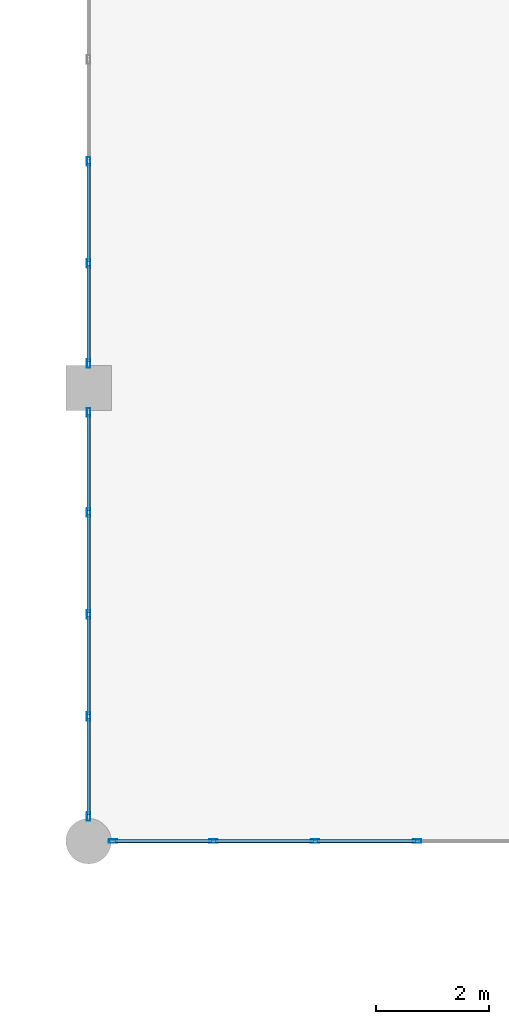
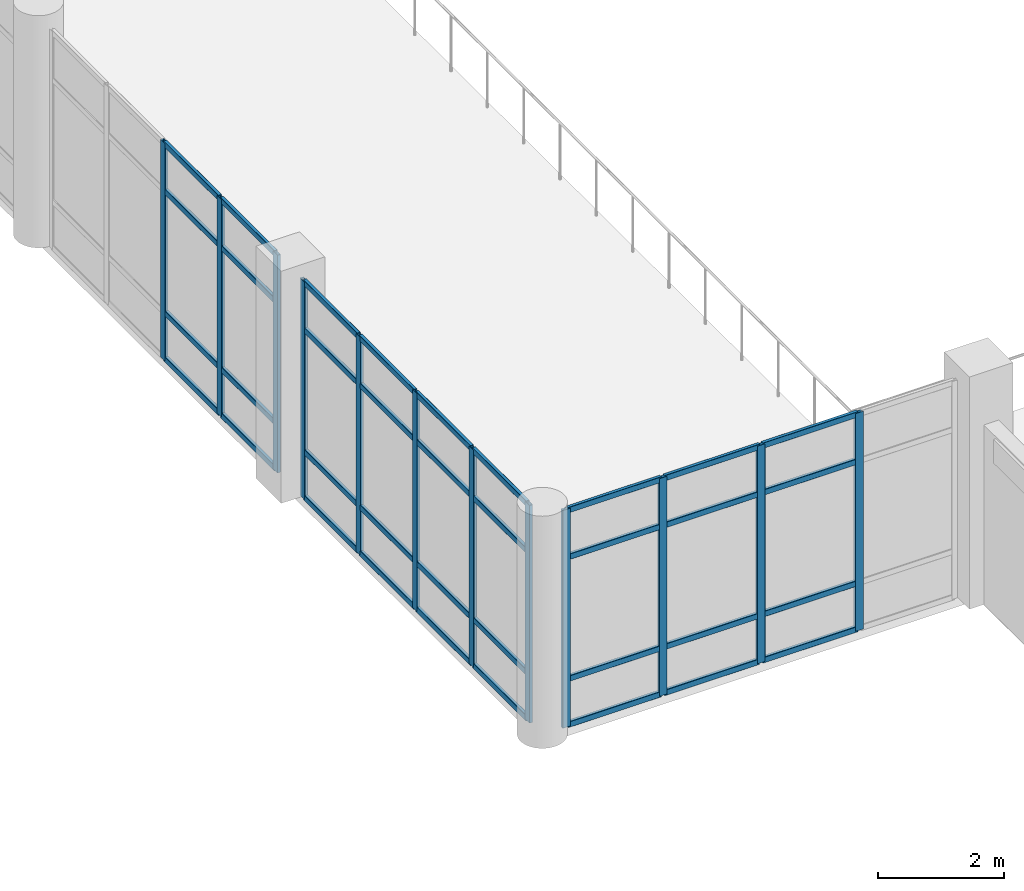
# One storey, part 10 of 42: 48 members, 3 elements without a shape of their own.
"""IFC4 building model written with IfcOpenShell, lengths in metres."""

from ifc_helpers import new_model, si_unit, direction, frame, origin, origin_2d, place, context, subcontext, project, spatial, hollow_rectangle, extrude, material, material_profile, profile_set, type_object, element, aggregate, save


model = new_model("IFC4")

# Units and contexts
model_context = context("Model", 3, precision=1e-05, world=origin(), true_north=direction((0.0, 1.0)))
body_context = subcontext(model_context, "Body", "Model", "MODEL_VIEW")
ifc_project = project(units=[si_unit("LENGTHUNIT", "METRE"), si_unit("AREAUNIT", "SQUARE_METRE"), si_unit("VOLUMEUNIT", "CUBIC_METRE"), si_unit("PLANEANGLEUNIT", "RADIAN"), si_unit("MASSUNIT", "GRAM", prefix="KILO")], contexts=[model_context])

# Site, building, storey
site_placement = place(None, origin())
site = spatial("IfcSite", under=ifc_project, at=site_placement, CompositionType="ELEMENT")
building_placement = place(site_placement, origin())
building = spatial("IfcBuilding", under=site, at=building_placement, Name="Solmirada Galleria", CompositionType="ELEMENT")
storey_placement = place(building_placement, frame((0.0, 0.0, 28.39990234375)))
storey = spatial("IfcBuildingStorey", under=building, at=storey_placement, Name="L06", CompositionType="ELEMENT", Elevation=28.39990234375)

# Curtain wall, members
ifc_material_1 = material(Name="Impact-resistant low-E double glazing", Category="glass")
curtain_wall_type = type_object("IfcCurtainWallType", Name="CW-FZ3-L06-B4-L072", PredefinedType="NOTDEFINED", material=ifc_material_1)
curtain_wall_1_placement = place(storey_placement, origin())
curtain_wall_1 = element("IfcCurtainWall", 1, at=curtain_wall_1_placement, inside=storey, type_object=curtain_wall_type, Name="Terrace and arcade storefront CW-L06-185", PredefinedType="NOTDEFINED")
ifc_material_2 = material(Name="Anodised aluminium framing", Category="aluminium")
ifc_material_profile_1 = material_profile(ifc_material_2, hollow_rectangle(XDim=0.06005859375, YDim=0.14990234375, WallThickness=0.00341796875, InnerFilletRadius=0.00341796875, OuterFilletRadius=0.007080078125, at=origin_2d()), Name="ALU-MULL-150X60")
ifc_profile_set_1 = profile_set([ifc_material_profile_1], Name="Anodised aluminium framing")
member_type_1 = type_object("IfcMemberType", Name="CW-MULL-150", PredefinedType="MULLION", material=ifc_profile_set_1)
member_1_placement = place(storey_placement, frame((85.799072265625, 48.0, 0.0), z_axis=(0.0, 0.0, 1.0), x_axis=(0.0, -1.0, 0.0)))
member_1 = element("IfcMember", 2, at=member_1_placement, type_object=member_type_1, Name="CW38 mullion 2", PredefinedType="MULLION", context=body_context, shape_type="SweptSolid", body=[
    extrude(hollow_rectangle(XDim=0.06005859375, YDim=0.14990234375, WallThickness=0.00341796875, InnerFilletRadius=0.00341796875, OuterFilletRadius=0.007080078125, at=origin_2d()), origin(), (0.0, 0.0, 1.0), 4.22021484375),
])
member_2_placement = place(storey_placement, frame((84.0, 48.0, 0.0), z_axis=(0.0, 0.0, 1.0), x_axis=(0.0, -1.0, 0.0)))
member_2 = element("IfcMember", 3, at=member_2_placement, type_object=member_type_1, Name="CW38 mullion 3", PredefinedType="MULLION", context=body_context, shape_type="SweptSolid", body=[
    extrude(hollow_rectangle(XDim=0.06005859375, YDim=0.14990234375, WallThickness=0.00341796875, InnerFilletRadius=0.00341796875, OuterFilletRadius=0.007080078125, at=origin_2d()), origin(), (0.0, 0.0, 1.0), 4.22021484375),
])
member_3_placement = place(storey_placement, frame((82.200927734375, 48.0, 0.0), z_axis=(0.0, 0.0, 1.0), x_axis=(0.0, -1.0, 0.0)))
member_3 = element("IfcMember", 4, at=member_3_placement, type_object=member_type_1, Name="CW38 mullion 4", PredefinedType="MULLION", context=body_context, shape_type="SweptSolid", body=[
    extrude(hollow_rectangle(XDim=0.06005859375, YDim=0.14990234375, WallThickness=0.00341796875, InnerFilletRadius=0.00341796875, OuterFilletRadius=0.007080078125, at=origin_2d()), origin(), (0.0, 0.0, 1.0), 4.22021484375),
])
member_4_placement = place(storey_placement, frame((80.431884765625, 48.0, 0.0), z_axis=(0.0, 0.0, 1.0), x_axis=(0.0, -1.0, 0.0)))
member_4 = element("IfcMember", 5, at=member_4_placement, type_object=member_type_1, Name="CW38 mullion 5", PredefinedType="MULLION", context=body_context, shape_type="SweptSolid", body=[
    extrude(hollow_rectangle(XDim=0.06005859375, YDim=0.14990234375, WallThickness=0.00341796875, InnerFilletRadius=0.00341796875, OuterFilletRadius=0.007080078125, at=origin_2d()), origin(), (0.0, 0.0, 1.0), 4.22021484375),
])

curtain_wall_2_placement = place(storey_placement, origin())
curtain_wall_2 = element("IfcCurtainWall", 6, at=curtain_wall_2_placement, inside=storey, type_object=curtain_wall_type, Name="Terrace and arcade storefront CW-L06-186", PredefinedType="NOTDEFINED")
member_5_placement = place(storey_placement, frame((80.0, 48.431884765625, 0.0), z_axis=(0.0, 0.0, 1.0), x_axis=(-1.0, 0.0, 0.0)))
member_5 = element("IfcMember", 7, at=member_5_placement, type_object=member_type_1, Name="CW38 mullion 1", PredefinedType="MULLION", context=body_context, shape_type="SweptSolid", body=[
    extrude(hollow_rectangle(XDim=0.06005859375, YDim=0.14990234375, WallThickness=0.00341796875, InnerFilletRadius=0.00341796875, OuterFilletRadius=0.007080078125, at=origin_2d()), origin(), (0.0, 0.0, 1.0), 4.22021484375),
])
member_6_placement = place(storey_placement, frame((80.0, 50.200927734375, 0.0), z_axis=(0.0, 0.0, 1.0), x_axis=(-1.0, 0.0, 0.0)))
member_6 = element("IfcMember", 8, at=member_6_placement, type_object=member_type_1, Name="CW38 mullion 2", PredefinedType="MULLION", context=body_context, shape_type="SweptSolid", body=[
    extrude(hollow_rectangle(XDim=0.06005859375, YDim=0.14990234375, WallThickness=0.00341796875, InnerFilletRadius=0.00341796875, OuterFilletRadius=0.007080078125, at=origin_2d()), origin(), (0.0, 0.0, 1.0), 4.22021484375),
])
member_7_placement = place(storey_placement, frame((80.0, 52.0, 0.0), z_axis=(0.0, 0.0, 1.0), x_axis=(-1.0, 0.0, 0.0)))
member_7 = element("IfcMember", 9, at=member_7_placement, type_object=member_type_1, Name="CW38 mullion 3", PredefinedType="MULLION", context=body_context, shape_type="SweptSolid", body=[
    extrude(hollow_rectangle(XDim=0.06005859375, YDim=0.14990234375, WallThickness=0.00341796875, InnerFilletRadius=0.00341796875, OuterFilletRadius=0.007080078125, at=origin_2d()), origin(), (0.0, 0.0, 1.0), 4.22021484375),
])
member_8_placement = place(storey_placement, frame((80.0, 53.799072265625, 0.0), z_axis=(0.0, 0.0, 1.0), x_axis=(-1.0, 0.0, 0.0)))
member_8 = element("IfcMember", 10, at=member_8_placement, type_object=member_type_1, Name="CW38 mullion 4", PredefinedType="MULLION", context=body_context, shape_type="SweptSolid", body=[
    extrude(hollow_rectangle(XDim=0.06005859375, YDim=0.14990234375, WallThickness=0.00341796875, InnerFilletRadius=0.00341796875, OuterFilletRadius=0.007080078125, at=origin_2d()), origin(), (0.0, 0.0, 1.0), 4.22021484375),
])
member_9_placement = place(storey_placement, frame((80.0, 55.568115234375, 0.0), z_axis=(0.0, 0.0, 1.0), x_axis=(-1.0, 0.0, 0.0)))
member_9 = element("IfcMember", 11, at=member_9_placement, type_object=member_type_1, Name="CW38 mullion 5", PredefinedType="MULLION", context=body_context, shape_type="SweptSolid", body=[
    extrude(hollow_rectangle(XDim=0.06005859375, YDim=0.14990234375, WallThickness=0.00341796875, InnerFilletRadius=0.00341796875, OuterFilletRadius=0.007080078125, at=origin_2d()), origin(), (0.0, 0.0, 1.0), 4.22021484375),
])

curtain_wall_3_placement = place(storey_placement, origin())
curtain_wall_3 = element("IfcCurtainWall", 12, at=curtain_wall_3_placement, inside=storey, type_object=curtain_wall_type, Name="Terrace and arcade storefront CW-L06-187", PredefinedType="NOTDEFINED")
member_10_placement = place(storey_placement, frame((80.0, 56.431884765625, 0.0), z_axis=(0.0, 0.0, 1.0), x_axis=(-1.0, 0.0, 0.0)))
member_10 = element("IfcMember", 13, at=member_10_placement, type_object=member_type_1, Name="CW38 mullion 1", PredefinedType="MULLION", context=body_context, shape_type="SweptSolid", body=[
    extrude(hollow_rectangle(XDim=0.06005859375, YDim=0.14990234375, WallThickness=0.00341796875, InnerFilletRadius=0.00341796875, OuterFilletRadius=0.007080078125, at=origin_2d()), origin(), (0.0, 0.0, 1.0), 4.22021484375),
])
member_11_placement = place(storey_placement, frame((80.0, 58.200927734375, 0.0), z_axis=(0.0, 0.0, 1.0), x_axis=(-1.0, 0.0, 0.0)))
member_11 = element("IfcMember", 14, at=member_11_placement, type_object=member_type_1, Name="CW38 mullion 2", PredefinedType="MULLION", context=body_context, shape_type="SweptSolid", body=[
    extrude(hollow_rectangle(XDim=0.06005859375, YDim=0.14990234375, WallThickness=0.00341796875, InnerFilletRadius=0.00341796875, OuterFilletRadius=0.007080078125, at=origin_2d()), origin(), (0.0, 0.0, 1.0), 4.22021484375),
])
member_12_placement = place(storey_placement, frame((80.0, 60.0, 0.0), z_axis=(0.0, 0.0, 1.0), x_axis=(-1.0, 0.0, 0.0)))
member_12 = element("IfcMember", 15, at=member_12_placement, type_object=member_type_1, Name="CW38 mullion 3", PredefinedType="MULLION", context=body_context, shape_type="SweptSolid", body=[
    extrude(hollow_rectangle(XDim=0.06005859375, YDim=0.14990234375, WallThickness=0.00341796875, InnerFilletRadius=0.00341796875, OuterFilletRadius=0.007080078125, at=origin_2d()), origin(), (0.0, 0.0, 1.0), 4.22021484375),
])

# Member
ifc_material_profile_2 = material_profile(ifc_material_2, hollow_rectangle(XDim=0.06005859375, YDim=0.110107421875, WallThickness=0.003173828125, InnerFilletRadius=0.003173828125, OuterFilletRadius=0.00634765625, at=origin_2d()), Name="ALU-TRAN-110X60")
ifc_profile_set_2 = profile_set([ifc_material_profile_2], Name="Anodised aluminium framing")
member_type_2 = type_object("IfcMemberType", Name="CW-TRAN-110", PredefinedType="USERDEFINED", material=ifc_profile_set_2)
member_13_placement = place(storey_placement, frame((85.76904296875, 48.0, 0.030029296875), z_axis=(-1.0, 0.0, 0.0), x_axis=(0.0, -1.0, 0.0)))
member_13 = element("IfcMember", 16, at=member_13_placement, type_object=member_type_2, Name="CW38 transom 2.1", ObjectType="TRANSOM", PredefinedType="USERDEFINED", context=body_context, shape_type="SweptSolid", body=[
    extrude(hollow_rectangle(XDim=0.06005859375, YDim=0.110107421875, WallThickness=0.003173828125, InnerFilletRadius=0.003173828125, OuterFilletRadius=0.00634765625, at=origin_2d()), origin(), (0.0, 0.0, 1.0), 1.739013671875),
])

member_14_placement = place(storey_placement, frame((85.76904296875, 48.0, 0.920166015625), z_axis=(-1.0, 0.0, 0.0), x_axis=(0.0, -1.0, 0.0)))
member_14 = element("IfcMember", 17, at=member_14_placement, type_object=member_type_2, Name="CW38 transom 2.2", ObjectType="TRANSOM", PredefinedType="USERDEFINED", context=body_context, shape_type="SweptSolid", body=[
    extrude(hollow_rectangle(XDim=0.06005859375, YDim=0.110107421875, WallThickness=0.003173828125, InnerFilletRadius=0.003173828125, OuterFilletRadius=0.00634765625, at=origin_2d()), origin(), (0.0, 0.0, 1.0), 1.739013671875),
])

member_15_placement = place(storey_placement, frame((85.76904296875, 48.0, 3.280029296875), z_axis=(-1.0, 0.0, 0.0), x_axis=(0.0, -1.0, 0.0)))
member_15 = element("IfcMember", 18, at=member_15_placement, type_object=member_type_2, Name="CW38 transom 2.3", ObjectType="TRANSOM", PredefinedType="USERDEFINED", context=body_context, shape_type="SweptSolid", body=[
    extrude(hollow_rectangle(XDim=0.06005859375, YDim=0.110107421875, WallThickness=0.003173828125, InnerFilletRadius=0.003173828125, OuterFilletRadius=0.00634765625, at=origin_2d()), origin(), (0.0, 0.0, 1.0), 1.739013671875),
])

member_16_placement = place(storey_placement, frame((85.76904296875, 48.0, 4.190185546875), z_axis=(-1.0, 0.0, 0.0), x_axis=(0.0, -1.0, 0.0)))
member_16 = element("IfcMember", 19, at=member_16_placement, type_object=member_type_2, Name="CW38 transom 2.4", ObjectType="TRANSOM", PredefinedType="USERDEFINED", context=body_context, shape_type="SweptSolid", body=[
    extrude(hollow_rectangle(XDim=0.06005859375, YDim=0.110107421875, WallThickness=0.003173828125, InnerFilletRadius=0.003173828125, OuterFilletRadius=0.00634765625, at=origin_2d()), origin(), (0.0, 0.0, 1.0), 1.739013671875),
])

member_17_placement = place(storey_placement, frame((83.969970703125, 48.0, 0.030029296875), z_axis=(-1.0, 0.0, 0.0), x_axis=(0.0, -1.0, 0.0)))
member_17 = element("IfcMember", 20, at=member_17_placement, type_object=member_type_2, Name="CW38 transom 3.1", ObjectType="TRANSOM", PredefinedType="USERDEFINED", context=body_context, shape_type="SweptSolid", body=[
    extrude(hollow_rectangle(XDim=0.06005859375, YDim=0.110107421875, WallThickness=0.003173828125, InnerFilletRadius=0.003173828125, OuterFilletRadius=0.00634765625, at=origin_2d()), origin(), (0.0, 0.0, 1.0), 1.739013671875),
])

member_18_placement = place(storey_placement, frame((83.969970703125, 48.0, 0.920166015625), z_axis=(-1.0, 0.0, 0.0), x_axis=(0.0, -1.0, 0.0)))
member_18 = element("IfcMember", 21, at=member_18_placement, type_object=member_type_2, Name="CW38 transom 3.2", ObjectType="TRANSOM", PredefinedType="USERDEFINED", context=body_context, shape_type="SweptSolid", body=[
    extrude(hollow_rectangle(XDim=0.06005859375, YDim=0.110107421875, WallThickness=0.003173828125, InnerFilletRadius=0.003173828125, OuterFilletRadius=0.00634765625, at=origin_2d()), origin(), (0.0, 0.0, 1.0), 1.739013671875),
])

member_19_placement = place(storey_placement, frame((83.969970703125, 48.0, 3.280029296875), z_axis=(-1.0, 0.0, 0.0), x_axis=(0.0, -1.0, 0.0)))
member_19 = element("IfcMember", 22, at=member_19_placement, type_object=member_type_2, Name="CW38 transom 3.3", ObjectType="TRANSOM", PredefinedType="USERDEFINED", context=body_context, shape_type="SweptSolid", body=[
    extrude(hollow_rectangle(XDim=0.06005859375, YDim=0.110107421875, WallThickness=0.003173828125, InnerFilletRadius=0.003173828125, OuterFilletRadius=0.00634765625, at=origin_2d()), origin(), (0.0, 0.0, 1.0), 1.739013671875),
])

member_20_placement = place(storey_placement, frame((83.969970703125, 48.0, 4.190185546875), z_axis=(-1.0, 0.0, 0.0), x_axis=(0.0, -1.0, 0.0)))
member_20 = element("IfcMember", 23, at=member_20_placement, type_object=member_type_2, Name="CW38 transom 3.4", ObjectType="TRANSOM", PredefinedType="USERDEFINED", context=body_context, shape_type="SweptSolid", body=[
    extrude(hollow_rectangle(XDim=0.06005859375, YDim=0.110107421875, WallThickness=0.003173828125, InnerFilletRadius=0.003173828125, OuterFilletRadius=0.00634765625, at=origin_2d()), origin(), (0.0, 0.0, 1.0), 1.739013671875),
])

member_21_placement = place(storey_placement, frame((82.1708984375, 48.0, 0.030029296875), z_axis=(-1.0, 0.0, 0.0), x_axis=(0.0, -1.0, 0.0)))
member_21 = element("IfcMember", 24, at=member_21_placement, type_object=member_type_2, Name="CW38 transom 4.1", ObjectType="TRANSOM", PredefinedType="USERDEFINED", context=body_context, shape_type="SweptSolid", body=[
    extrude(hollow_rectangle(XDim=0.06005859375, YDim=0.110107421875, WallThickness=0.003173828125, InnerFilletRadius=0.003173828125, OuterFilletRadius=0.00634765625, at=origin_2d()), origin(), (0.0, 0.0, 1.0), 1.708984375),
])

member_22_placement = place(storey_placement, frame((82.1708984375, 48.0, 0.920166015625), z_axis=(-1.0, 0.0, 0.0), x_axis=(0.0, -1.0, 0.0)))
member_22 = element("IfcMember", 25, at=member_22_placement, type_object=member_type_2, Name="CW38 transom 4.2", ObjectType="TRANSOM", PredefinedType="USERDEFINED", context=body_context, shape_type="SweptSolid", body=[
    extrude(hollow_rectangle(XDim=0.06005859375, YDim=0.110107421875, WallThickness=0.003173828125, InnerFilletRadius=0.003173828125, OuterFilletRadius=0.00634765625, at=origin_2d()), origin(), (0.0, 0.0, 1.0), 1.708984375),
])

member_23_placement = place(storey_placement, frame((82.1708984375, 48.0, 3.280029296875), z_axis=(-1.0, 0.0, 0.0), x_axis=(0.0, -1.0, 0.0)))
member_23 = element("IfcMember", 26, at=member_23_placement, type_object=member_type_2, Name="CW38 transom 4.3", ObjectType="TRANSOM", PredefinedType="USERDEFINED", context=body_context, shape_type="SweptSolid", body=[
    extrude(hollow_rectangle(XDim=0.06005859375, YDim=0.110107421875, WallThickness=0.003173828125, InnerFilletRadius=0.003173828125, OuterFilletRadius=0.00634765625, at=origin_2d()), origin(), (0.0, 0.0, 1.0), 1.708984375),
])

member_24_placement = place(storey_placement, frame((82.1708984375, 48.0, 4.190185546875), z_axis=(-1.0, 0.0, 0.0), x_axis=(0.0, -1.0, 0.0)))
member_24 = element("IfcMember", 27, at=member_24_placement, type_object=member_type_2, Name="CW38 transom 4.4", ObjectType="TRANSOM", PredefinedType="USERDEFINED", context=body_context, shape_type="SweptSolid", body=[
    extrude(hollow_rectangle(XDim=0.06005859375, YDim=0.110107421875, WallThickness=0.003173828125, InnerFilletRadius=0.003173828125, OuterFilletRadius=0.00634765625, at=origin_2d()), origin(), (0.0, 0.0, 1.0), 1.708984375),
])

aggregate(curtain_wall_1, [member_1, member_2, member_3, member_4, member_13, member_14, member_15, member_16, member_17, member_18, member_19, member_20, member_21, member_22, member_23, member_24])

member_25_placement = place(storey_placement, frame((80.0, 48.4619140625, 0.030029296875), z_axis=(0.0, 1.0, 0.0), x_axis=(-1.0, 0.0, 0.0)))
member_25 = element("IfcMember", 28, at=member_25_placement, type_object=member_type_2, Name="CW38 transom 1.1", ObjectType="TRANSOM", PredefinedType="USERDEFINED", context=body_context, shape_type="SweptSolid", body=[
    extrude(hollow_rectangle(XDim=0.06005859375, YDim=0.110107421875, WallThickness=0.003173828125, InnerFilletRadius=0.003173828125, OuterFilletRadius=0.00634765625, at=origin_2d()), origin(), (0.0, 0.0, 1.0), 1.708984375),
])

member_26_placement = place(storey_placement, frame((80.0, 48.4619140625, 0.920166015625), z_axis=(0.0, 1.0, 0.0), x_axis=(-1.0, 0.0, 0.0)))
member_26 = element("IfcMember", 29, at=member_26_placement, type_object=member_type_2, Name="CW38 transom 1.2", ObjectType="TRANSOM", PredefinedType="USERDEFINED", context=body_context, shape_type="SweptSolid", body=[
    extrude(hollow_rectangle(XDim=0.06005859375, YDim=0.110107421875, WallThickness=0.003173828125, InnerFilletRadius=0.003173828125, OuterFilletRadius=0.00634765625, at=origin_2d()), origin(), (0.0, 0.0, 1.0), 1.708984375),
])

member_27_placement = place(storey_placement, frame((80.0, 48.4619140625, 3.280029296875), z_axis=(0.0, 1.0, 0.0), x_axis=(-1.0, 0.0, 0.0)))
member_27 = element("IfcMember", 30, at=member_27_placement, type_object=member_type_2, Name="CW38 transom 1.3", ObjectType="TRANSOM", PredefinedType="USERDEFINED", context=body_context, shape_type="SweptSolid", body=[
    extrude(hollow_rectangle(XDim=0.06005859375, YDim=0.110107421875, WallThickness=0.003173828125, InnerFilletRadius=0.003173828125, OuterFilletRadius=0.00634765625, at=origin_2d()), origin(), (0.0, 0.0, 1.0), 1.708984375),
])

member_28_placement = place(storey_placement, frame((80.0, 48.4619140625, 4.190185546875), z_axis=(0.0, 1.0, 0.0), x_axis=(-1.0, 0.0, 0.0)))
member_28 = element("IfcMember", 31, at=member_28_placement, type_object=member_type_2, Name="CW38 transom 1.4", ObjectType="TRANSOM", PredefinedType="USERDEFINED", context=body_context, shape_type="SweptSolid", body=[
    extrude(hollow_rectangle(XDim=0.06005859375, YDim=0.110107421875, WallThickness=0.003173828125, InnerFilletRadius=0.003173828125, OuterFilletRadius=0.00634765625, at=origin_2d()), origin(), (0.0, 0.0, 1.0), 1.708984375),
])

member_29_placement = place(storey_placement, frame((80.0, 50.23095703125, 0.030029296875), z_axis=(0.0, 1.0, 0.0), x_axis=(-1.0, 0.0, 0.0)))
member_29 = element("IfcMember", 32, at=member_29_placement, type_object=member_type_2, Name="CW38 transom 2.1", ObjectType="TRANSOM", PredefinedType="USERDEFINED", context=body_context, shape_type="SweptSolid", body=[
    extrude(hollow_rectangle(XDim=0.06005859375, YDim=0.110107421875, WallThickness=0.003173828125, InnerFilletRadius=0.003173828125, OuterFilletRadius=0.00634765625, at=origin_2d()), origin(), (0.0, 0.0, 1.0), 1.739013671875),
])

member_30_placement = place(storey_placement, frame((80.0, 50.23095703125, 0.920166015625), z_axis=(0.0, 1.0, 0.0), x_axis=(-1.0, 0.0, 0.0)))
member_30 = element("IfcMember", 33, at=member_30_placement, type_object=member_type_2, Name="CW38 transom 2.2", ObjectType="TRANSOM", PredefinedType="USERDEFINED", context=body_context, shape_type="SweptSolid", body=[
    extrude(hollow_rectangle(XDim=0.06005859375, YDim=0.110107421875, WallThickness=0.003173828125, InnerFilletRadius=0.003173828125, OuterFilletRadius=0.00634765625, at=origin_2d()), origin(), (0.0, 0.0, 1.0), 1.739013671875),
])

member_31_placement = place(storey_placement, frame((80.0, 50.23095703125, 3.280029296875), z_axis=(0.0, 1.0, 0.0), x_axis=(-1.0, 0.0, 0.0)))
member_31 = element("IfcMember", 34, at=member_31_placement, type_object=member_type_2, Name="CW38 transom 2.3", ObjectType="TRANSOM", PredefinedType="USERDEFINED", context=body_context, shape_type="SweptSolid", body=[
    extrude(hollow_rectangle(XDim=0.06005859375, YDim=0.110107421875, WallThickness=0.003173828125, InnerFilletRadius=0.003173828125, OuterFilletRadius=0.00634765625, at=origin_2d()), origin(), (0.0, 0.0, 1.0), 1.739013671875),
])

member_32_placement = place(storey_placement, frame((80.0, 50.23095703125, 4.190185546875), z_axis=(0.0, 1.0, 0.0), x_axis=(-1.0, 0.0, 0.0)))
member_32 = element("IfcMember", 35, at=member_32_placement, type_object=member_type_2, Name="CW38 transom 2.4", ObjectType="TRANSOM", PredefinedType="USERDEFINED", context=body_context, shape_type="SweptSolid", body=[
    extrude(hollow_rectangle(XDim=0.06005859375, YDim=0.110107421875, WallThickness=0.003173828125, InnerFilletRadius=0.003173828125, OuterFilletRadius=0.00634765625, at=origin_2d()), origin(), (0.0, 0.0, 1.0), 1.739013671875),
])

member_33_placement = place(storey_placement, frame((80.0, 52.030029296875, 0.030029296875), z_axis=(0.0, 1.0, 0.0), x_axis=(-1.0, 0.0, 0.0)))
member_33 = element("IfcMember", 36, at=member_33_placement, type_object=member_type_2, Name="CW38 transom 3.1", ObjectType="TRANSOM", PredefinedType="USERDEFINED", context=body_context, shape_type="SweptSolid", body=[
    extrude(hollow_rectangle(XDim=0.06005859375, YDim=0.110107421875, WallThickness=0.003173828125, InnerFilletRadius=0.003173828125, OuterFilletRadius=0.00634765625, at=origin_2d()), origin(), (0.0, 0.0, 1.0), 1.739013671875),
])

member_34_placement = place(storey_placement, frame((80.0, 52.030029296875, 0.920166015625), z_axis=(0.0, 1.0, 0.0), x_axis=(-1.0, 0.0, 0.0)))
member_34 = element("IfcMember", 37, at=member_34_placement, type_object=member_type_2, Name="CW38 transom 3.2", ObjectType="TRANSOM", PredefinedType="USERDEFINED", context=body_context, shape_type="SweptSolid", body=[
    extrude(hollow_rectangle(XDim=0.06005859375, YDim=0.110107421875, WallThickness=0.003173828125, InnerFilletRadius=0.003173828125, OuterFilletRadius=0.00634765625, at=origin_2d()), origin(), (0.0, 0.0, 1.0), 1.739013671875),
])

member_35_placement = place(storey_placement, frame((80.0, 52.030029296875, 3.280029296875), z_axis=(0.0, 1.0, 0.0), x_axis=(-1.0, 0.0, 0.0)))
member_35 = element("IfcMember", 38, at=member_35_placement, type_object=member_type_2, Name="CW38 transom 3.3", ObjectType="TRANSOM", PredefinedType="USERDEFINED", context=body_context, shape_type="SweptSolid", body=[
    extrude(hollow_rectangle(XDim=0.06005859375, YDim=0.110107421875, WallThickness=0.003173828125, InnerFilletRadius=0.003173828125, OuterFilletRadius=0.00634765625, at=origin_2d()), origin(), (0.0, 0.0, 1.0), 1.739013671875),
])

member_36_placement = place(storey_placement, frame((80.0, 52.030029296875, 4.190185546875), z_axis=(0.0, 1.0, 0.0), x_axis=(-1.0, 0.0, 0.0)))
member_36 = element("IfcMember", 39, at=member_36_placement, type_object=member_type_2, Name="CW38 transom 3.4", ObjectType="TRANSOM", PredefinedType="USERDEFINED", context=body_context, shape_type="SweptSolid", body=[
    extrude(hollow_rectangle(XDim=0.06005859375, YDim=0.110107421875, WallThickness=0.003173828125, InnerFilletRadius=0.003173828125, OuterFilletRadius=0.00634765625, at=origin_2d()), origin(), (0.0, 0.0, 1.0), 1.739013671875),
])

member_37_placement = place(storey_placement, frame((80.0, 53.8291015625, 0.030029296875), z_axis=(0.0, 1.0, 0.0), x_axis=(-1.0, 0.0, 0.0)))
member_37 = element("IfcMember", 40, at=member_37_placement, type_object=member_type_2, Name="CW38 transom 4.1", ObjectType="TRANSOM", PredefinedType="USERDEFINED", context=body_context, shape_type="SweptSolid", body=[
    extrude(hollow_rectangle(XDim=0.06005859375, YDim=0.110107421875, WallThickness=0.003173828125, InnerFilletRadius=0.003173828125, OuterFilletRadius=0.00634765625, at=origin_2d()), origin(), (0.0, 0.0, 1.0), 1.708984375),
])

member_38_placement = place(storey_placement, frame((80.0, 53.8291015625, 0.920166015625), z_axis=(0.0, 1.0, 0.0), x_axis=(-1.0, 0.0, 0.0)))
member_38 = element("IfcMember", 41, at=member_38_placement, type_object=member_type_2, Name="CW38 transom 4.2", ObjectType="TRANSOM", PredefinedType="USERDEFINED", context=body_context, shape_type="SweptSolid", body=[
    extrude(hollow_rectangle(XDim=0.06005859375, YDim=0.110107421875, WallThickness=0.003173828125, InnerFilletRadius=0.003173828125, OuterFilletRadius=0.00634765625, at=origin_2d()), origin(), (0.0, 0.0, 1.0), 1.708984375),
])

member_39_placement = place(storey_placement, frame((80.0, 53.8291015625, 3.280029296875), z_axis=(0.0, 1.0, 0.0), x_axis=(-1.0, 0.0, 0.0)))
member_39 = element("IfcMember", 42, at=member_39_placement, type_object=member_type_2, Name="CW38 transom 4.3", ObjectType="TRANSOM", PredefinedType="USERDEFINED", context=body_context, shape_type="SweptSolid", body=[
    extrude(hollow_rectangle(XDim=0.06005859375, YDim=0.110107421875, WallThickness=0.003173828125, InnerFilletRadius=0.003173828125, OuterFilletRadius=0.00634765625, at=origin_2d()), origin(), (0.0, 0.0, 1.0), 1.708984375),
])

member_40_placement = place(storey_placement, frame((80.0, 53.8291015625, 4.190185546875), z_axis=(0.0, 1.0, 0.0), x_axis=(-1.0, 0.0, 0.0)))
member_40 = element("IfcMember", 43, at=member_40_placement, type_object=member_type_2, Name="CW38 transom 4.4", ObjectType="TRANSOM", PredefinedType="USERDEFINED", context=body_context, shape_type="SweptSolid", body=[
    extrude(hollow_rectangle(XDim=0.06005859375, YDim=0.110107421875, WallThickness=0.003173828125, InnerFilletRadius=0.003173828125, OuterFilletRadius=0.00634765625, at=origin_2d()), origin(), (0.0, 0.0, 1.0), 1.708984375),
])

aggregate(curtain_wall_2, [member_5, member_6, member_7, member_8, member_9, member_25, member_26, member_27, member_28, member_29, member_30, member_31, member_32, member_33, member_34, member_35, member_36, member_37, member_38, member_39, member_40])

member_41_placement = place(storey_placement, frame((80.0, 56.4619140625, 0.030029296875), z_axis=(0.0, 1.0, 0.0), x_axis=(-1.0, 0.0, 0.0)))
member_41 = element("IfcMember", 44, at=member_41_placement, type_object=member_type_2, Name="CW38 transom 1.1", ObjectType="TRANSOM", PredefinedType="USERDEFINED", context=body_context, shape_type="SweptSolid", body=[
    extrude(hollow_rectangle(XDim=0.06005859375, YDim=0.110107421875, WallThickness=0.003173828125, InnerFilletRadius=0.003173828125, OuterFilletRadius=0.00634765625, at=origin_2d()), origin(), (0.0, 0.0, 1.0), 1.708984375),
])

member_42_placement = place(storey_placement, frame((80.0, 56.4619140625, 0.920166015625), z_axis=(0.0, 1.0, 0.0), x_axis=(-1.0, 0.0, 0.0)))
member_42 = element("IfcMember", 45, at=member_42_placement, type_object=member_type_2, Name="CW38 transom 1.2", ObjectType="TRANSOM", PredefinedType="USERDEFINED", context=body_context, shape_type="SweptSolid", body=[
    extrude(hollow_rectangle(XDim=0.06005859375, YDim=0.110107421875, WallThickness=0.003173828125, InnerFilletRadius=0.003173828125, OuterFilletRadius=0.00634765625, at=origin_2d()), origin(), (0.0, 0.0, 1.0), 1.708984375),
])

member_43_placement = place(storey_placement, frame((80.0, 56.4619140625, 3.280029296875), z_axis=(0.0, 1.0, 0.0), x_axis=(-1.0, 0.0, 0.0)))
member_43 = element("IfcMember", 46, at=member_43_placement, type_object=member_type_2, Name="CW38 transom 1.3", ObjectType="TRANSOM", PredefinedType="USERDEFINED", context=body_context, shape_type="SweptSolid", body=[
    extrude(hollow_rectangle(XDim=0.06005859375, YDim=0.110107421875, WallThickness=0.003173828125, InnerFilletRadius=0.003173828125, OuterFilletRadius=0.00634765625, at=origin_2d()), origin(), (0.0, 0.0, 1.0), 1.708984375),
])

member_44_placement = place(storey_placement, frame((80.0, 56.4619140625, 4.190185546875), z_axis=(0.0, 1.0, 0.0), x_axis=(-1.0, 0.0, 0.0)))
member_44 = element("IfcMember", 47, at=member_44_placement, type_object=member_type_2, Name="CW38 transom 1.4", ObjectType="TRANSOM", PredefinedType="USERDEFINED", context=body_context, shape_type="SweptSolid", body=[
    extrude(hollow_rectangle(XDim=0.06005859375, YDim=0.110107421875, WallThickness=0.003173828125, InnerFilletRadius=0.003173828125, OuterFilletRadius=0.00634765625, at=origin_2d()), origin(), (0.0, 0.0, 1.0), 1.708984375),
])

member_45_placement = place(storey_placement, frame((80.0, 58.23095703125, 0.030029296875), z_axis=(0.0, 1.0, 0.0), x_axis=(-1.0, 0.0, 0.0)))
member_45 = element("IfcMember", 48, at=member_45_placement, type_object=member_type_2, Name="CW38 transom 2.1", ObjectType="TRANSOM", PredefinedType="USERDEFINED", context=body_context, shape_type="SweptSolid", body=[
    extrude(hollow_rectangle(XDim=0.06005859375, YDim=0.110107421875, WallThickness=0.003173828125, InnerFilletRadius=0.003173828125, OuterFilletRadius=0.00634765625, at=origin_2d()), origin(), (0.0, 0.0, 1.0), 1.739013671875),
])

member_46_placement = place(storey_placement, frame((80.0, 58.23095703125, 0.920166015625), z_axis=(0.0, 1.0, 0.0), x_axis=(-1.0, 0.0, 0.0)))
member_46 = element("IfcMember", 49, at=member_46_placement, type_object=member_type_2, Name="CW38 transom 2.2", ObjectType="TRANSOM", PredefinedType="USERDEFINED", context=body_context, shape_type="SweptSolid", body=[
    extrude(hollow_rectangle(XDim=0.06005859375, YDim=0.110107421875, WallThickness=0.003173828125, InnerFilletRadius=0.003173828125, OuterFilletRadius=0.00634765625, at=origin_2d()), origin(), (0.0, 0.0, 1.0), 1.739013671875),
])

member_47_placement = place(storey_placement, frame((80.0, 58.23095703125, 3.280029296875), z_axis=(0.0, 1.0, 0.0), x_axis=(-1.0, 0.0, 0.0)))
member_47 = element("IfcMember", 50, at=member_47_placement, type_object=member_type_2, Name="CW38 transom 2.3", ObjectType="TRANSOM", PredefinedType="USERDEFINED", context=body_context, shape_type="SweptSolid", body=[
    extrude(hollow_rectangle(XDim=0.06005859375, YDim=0.110107421875, WallThickness=0.003173828125, InnerFilletRadius=0.003173828125, OuterFilletRadius=0.00634765625, at=origin_2d()), origin(), (0.0, 0.0, 1.0), 1.739013671875),
])

member_48_placement = place(storey_placement, frame((80.0, 58.23095703125, 4.190185546875), z_axis=(0.0, 1.0, 0.0), x_axis=(-1.0, 0.0, 0.0)))
member_48 = element("IfcMember", 51, at=member_48_placement, type_object=member_type_2, Name="CW38 transom 2.4", ObjectType="TRANSOM", PredefinedType="USERDEFINED", context=body_context, shape_type="SweptSolid", body=[
    extrude(hollow_rectangle(XDim=0.06005859375, YDim=0.110107421875, WallThickness=0.003173828125, InnerFilletRadius=0.003173828125, OuterFilletRadius=0.00634765625, at=origin_2d()), origin(), (0.0, 0.0, 1.0), 1.739013671875),
])

aggregate(curtain_wall_3, [member_10, member_11, member_12, member_41, member_42, member_43, member_44, member_45, member_46, member_47, member_48])

save(model, "model.ifc")
